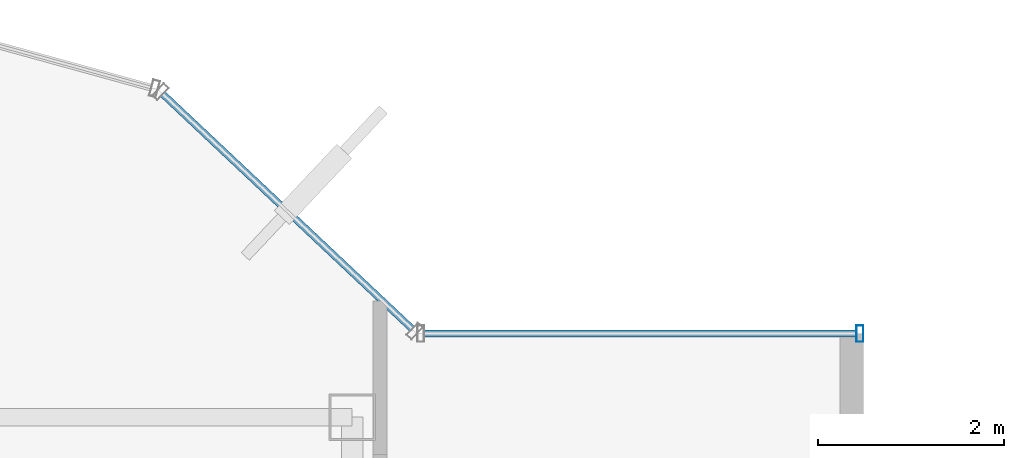
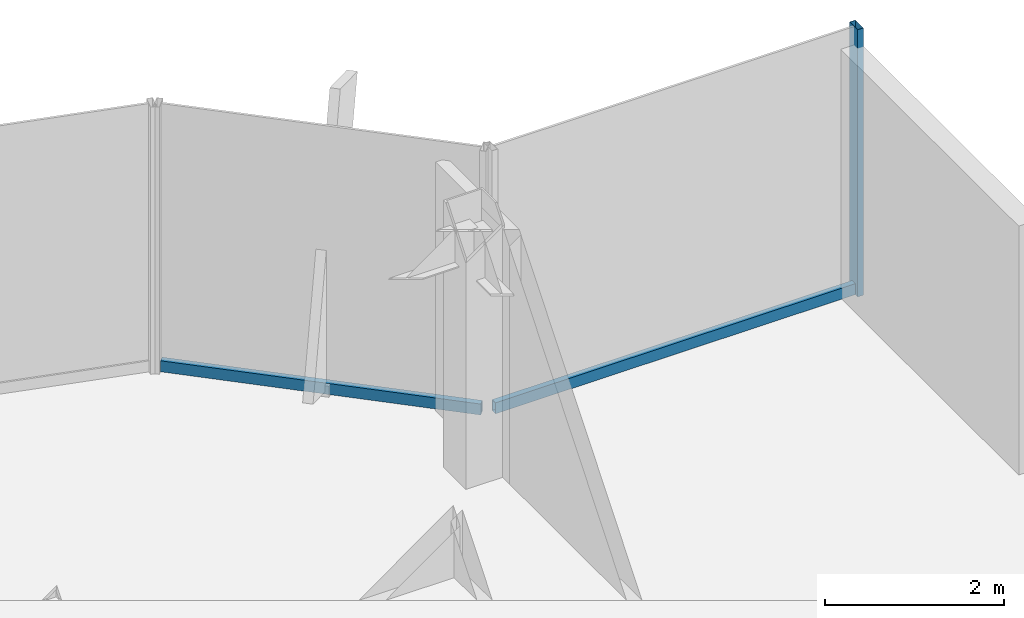
# One storey, part 15 of 22: 3 members, 2 elements without a shape of their own.
"""IFC4 building model written with IfcOpenShell, lengths in metres."""

from ifc_helpers import new_model, si_unit, derived_unit, direction, frame, origin, origin_2d, place, context, subcontext, project, spatial, hollow_rectangle, extrude, source, transform, mapped, material, material_profile, profile_set, type_object, element, aggregate, save


model = new_model("IFC4")

# Units and contexts
model_context = context("Model", 3, precision=1e-05, world=origin(), true_north=direction((0.0, 1.0)))
body_context = subcontext(model_context, "Body", "Model", "MODEL_VIEW")
ifc_project = project(units=[si_unit("LENGTHUNIT", "METRE"), si_unit("AREAUNIT", "SQUARE_METRE"), si_unit("VOLUMEUNIT", "CUBIC_METRE"), si_unit("PLANEANGLEUNIT", "RADIAN"), si_unit("MASSUNIT", "GRAM", prefix="KILO"), derived_unit("THERMALTRANSMITTANCEUNIT", [(si_unit("POWERUNIT", "WATT"), 1), (si_unit("LENGTHUNIT", "METRE"), -2), (si_unit("THERMODYNAMICTEMPERATUREUNIT", "KELVIN"), -1)])], contexts=[model_context])

# Site, building, storey
site_placement = place(None, origin())
site = spatial("IfcSite", under=ifc_project, at=site_placement, CompositionType="ELEMENT")
building_placement = place(site_placement, origin())
building = spatial("IfcBuilding", under=site, at=building_placement, Name="Skarnbrae Concourse Arena and Tower", CompositionType="ELEMENT")
storey_placement = place(building_placement, frame((0.0, 0.0, 284.35009765625)))
storey = spatial("IfcBuildingStorey", under=building, at=storey_placement, Name="L74", CompositionType="ELEMENT", Elevation=284.35009765625)

# Curtain wall, members
ifc_material = material(Name="Bronze anodised aluminium 6063-T6", Category="aluminium")
curtain_wall_type = type_object("IfcCurtainWallType", Name="CW-SYS-05-HIGHZONE", PredefinedType="USERDEFINED", material=ifc_material)
curtain_wall_1_placement = place(storey_placement, origin())
curtain_wall_1 = element("IfcCurtainWall", 1, at=curtain_wall_1_placement, inside=storey, type_object=curtain_wall_type, Name="L74 Unitised curtain wall CW-L74-E07", ObjectType="UNITISED CURTAIN WALL", PredefinedType="USERDEFINED")
ifc_material_profile_1 = material_profile(ifc_material, hollow_rectangle(XDim=0.074951171875, YDim=0.179931640625, WallThickness=0.00390625, at=origin_2d()), Name="ALU-MULL-75X180")
ifc_profile_set_1 = profile_set([ifc_material_profile_1], Name="Bronze anodised aluminium 6063-T6")
member_type_1 = type_object("IfcMemberType", Name="CWM-CW-05", PredefinedType="MULLION", material=ifc_profile_set_1)
shared_shape_1 = source(origin(), body_context, "Body", "SweptSolid", [
    extrude(hollow_rectangle(XDim=0.074951171875, YDim=0.179931640625, WallThickness=0.00390625, at=origin_2d()), origin(), (0.0, 0.0, 1.0), 3.64990234375),
])
member_1_placement = place(storey_placement, frame((38.96240234375, 35.300048828125, 0.0), z_axis=(0.0, 0.0, 1.0), x_axis=(-1.0, 0.0, 0.0)))
member_1 = element("IfcMember", 2, at=member_1_placement, type_object=member_type_1, Name="CW-L74-E07 Mullion 1", PredefinedType="MULLION", context=body_context, shape_type="MappedRepresentation", body=[
    mapped(shared_shape_1, transform((0.0, 0.0, 0.0))),
])
ifc_material_profile_2 = material_profile(ifc_material, hollow_rectangle(XDim=0.074951171875, YDim=0.14990234375, WallThickness=0.00390625, at=origin_2d()), Name="ALU-TRAN-75X150")
ifc_profile_set_2 = profile_set([ifc_material_profile_2], Name="Bronze anodised aluminium 6063-T6")
member_type_2 = type_object("IfcMemberType", Name="CWT-CW-05", PredefinedType="USERDEFINED", material=ifc_profile_set_2)
shared_shape_2 = source(origin(), body_context, "Body", "SweptSolid", [
    extrude(hollow_rectangle(XDim=0.074951171875, YDim=0.14990234375, WallThickness=0.00390625, at=origin_2d()), origin(), (0.0, 0.0, 1.0), 4.650146484375),
])
member_2_placement = place(storey_placement, frame((38.925048828125, 35.300048828125, 0.074951171875), z_axis=(-1.0, 0.0, 0.0), x_axis=(0.0, -1.0, 0.0)))
member_2 = element("IfcMember", 3, at=member_2_placement, type_object=member_type_2, Name="CW-L74-E07 Transom 1", ObjectType="TRANSOM", PredefinedType="USERDEFINED", context=body_context, shape_type="MappedRepresentation", body=[
    mapped(shared_shape_2, transform((0.0, 0.0, 0.0))),
])
aggregate(curtain_wall_1, [member_1, member_2])

# Curtain wall, member
curtain_wall_2_placement = place(storey_placement, origin())
curtain_wall_2 = element("IfcCurtainWall", 4, at=curtain_wall_2_placement, inside=storey, type_object=curtain_wall_type, Name="L74 Unitised curtain wall CW-L74-E08", ObjectType="UNITISED CURTAIN WALL", PredefinedType="USERDEFINED")
shared_shape_3 = source(origin(), body_context, "Body", "SweptSolid", [
    extrude(hollow_rectangle(XDim=0.074951171875, YDim=0.14990234375, WallThickness=0.00390625, at=origin_2d()), origin(), (0.0, 0.0, 1.0), 3.68212890625),
])
member_3_placement = place(storey_placement, frame((34.1455078125, 35.351318359375, 0.074951171875), z_axis=(-0.728133808476, 0.685435012933, 0.0), x_axis=(-0.685435012933, -0.728133808476, 0.0)))
member_3 = element("IfcMember", 5, at=member_3_placement, type_object=member_type_2, Name="CW-L74-E08 Transom 1", ObjectType="TRANSOM", PredefinedType="USERDEFINED", context=body_context, shape_type="MappedRepresentation", body=[
    mapped(shared_shape_3, transform((0.0, 0.0, 0.0))),
])
aggregate(curtain_wall_2, [member_3])

save(model, "model.ifc")
